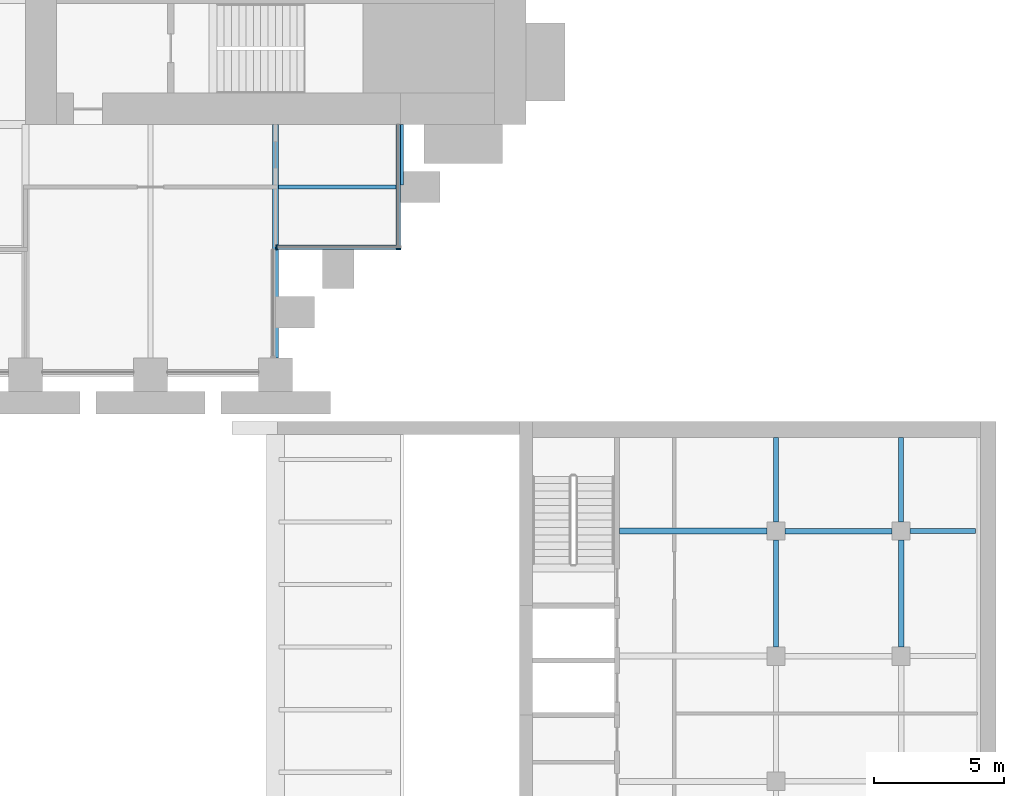
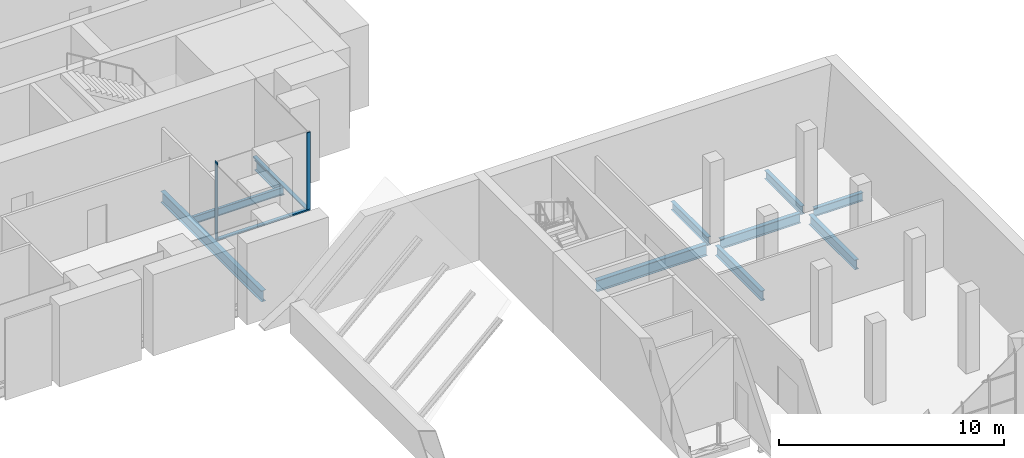
# One storey, part 13 of 30: 10 beams, 4 members, 2 elements without a shape of their own.
"""IFC4 building model written with IfcOpenShell, lengths in metres."""

from ifc_helpers import new_model, si_unit, direction, frame, origin, origin_2d, place, context, subcontext, project, spatial, rectangle, i_section, extrude, material, material_profile, profile_set, type_object, element, aggregate, save


model = new_model("IFC4")

# Units and contexts
model_context = context("Model", 3, precision=1e-05, world=origin(), true_north=direction((0.0, 1.0)))
body_context = subcontext(model_context, "Body", "Model", "MODEL_VIEW")
ifc_project = project(units=[si_unit("LENGTHUNIT", "METRE"), si_unit("AREAUNIT", "SQUARE_METRE"), si_unit("VOLUMEUNIT", "CUBIC_METRE"), si_unit("PLANEANGLEUNIT", "RADIAN"), si_unit("MASSUNIT", "GRAM", prefix="KILO")], contexts=[model_context])

# Site, building, storey
site_placement = place(None, origin())
site = spatial("IfcSite", under=ifc_project, at=site_placement, CompositionType="ELEMENT")
building_placement = place(site_placement, origin())
building = spatial("IfcBuilding", under=site, at=building_placement, Name="Baori Bourse Tower", CompositionType="ELEMENT")
storey_placement = place(building_placement, frame((0.0, 0.0, 17.0)))
storey = spatial("IfcBuildingStorey", under=building, at=storey_placement, Name="L02", CompositionType="ELEMENT", Elevation=17.0)

# Curtain wall, member
ifc_material_1 = material(Name="Pale anodised aluminium", Category="aluminium")
curtain_wall_type = type_object("IfcCurtainWallType", Name="CW2 Curtain wall", PredefinedType="NOTDEFINED", material=ifc_material_1)
curtain_wall_1_placement = place(storey_placement, origin())
curtain_wall_1 = element("IfcCurtainWall", 1, at=curtain_wall_1_placement, inside=storey, type_object=curtain_wall_type, Name="Curtain wall CW2 L02 13", PredefinedType="NOTDEFINED")
ifc_material_2 = material(Name="Pale anodised aluminium", Category="aluminium")
ifc_material_profile_1 = material_profile(ifc_material_2, rectangle(XDim=0.179931640625, YDim=0.054931640625, at=origin_2d()), Name="Mullion 55x180")
ifc_profile_set_1 = profile_set([ifc_material_profile_1], Name="Pale anodised aluminium")
member_type_1 = type_object("IfcMemberType", Name="CW2 Curtain wall mullion", PredefinedType="MULLION", material=ifc_profile_set_1)
member_1_placement = place(storey_placement, frame((48.027587890625, 4.889892578125, 0.070068359375), z_axis=(0.0, 0.0, 1.0), x_axis=(0.0, 1.0, 0.0)))
member_1 = element("IfcMember", 2, at=member_1_placement, type_object=member_type_1, Name="Curtain wall CW2 mullion", PredefinedType="MULLION", context=body_context, shape_type="SweptSolid", body=[
    extrude(rectangle(XDim=0.179931640625, YDim=0.054931640625, at=origin_2d()), origin(), (0.0, 0.0, 1.0), 4.169921875),
])

curtain_wall_2_placement = place(storey_placement, origin())
curtain_wall_2 = element("IfcCurtainWall", 3, at=curtain_wall_2_placement, inside=storey, type_object=curtain_wall_type, Name="Curtain wall CW2 L02 14", PredefinedType="NOTDEFINED")
member_2_placement = place(storey_placement, frame((52.7099609375, 4.827392578125, 0.070068359375), z_axis=(0.0, 0.0, 1.0), x_axis=(-1.0, 0.0, 0.0)))
member_2 = element("IfcMember", 4, at=member_2_placement, type_object=member_type_1, Name="Curtain wall CW2 mullion", PredefinedType="MULLION", context=body_context, shape_type="SweptSolid", body=[
    extrude(rectangle(XDim=0.179931640625, YDim=0.054931640625, at=origin_2d()), origin(), (0.0, 0.0, 1.0), 4.169921875),
])

# Member
ifc_material_3 = material(Name="Pale anodised aluminium", Category="aluminium")
ifc_material_profile_2 = material_profile(ifc_material_3, rectangle(XDim=0.179931640625, YDim=0.070068359375, at=origin_2d()), Name="Transom 70x180")
ifc_profile_set_2 = profile_set([ifc_material_profile_2], Name="Pale anodised aluminium")
member_type_2 = type_object("IfcMemberType", Name="CW2 Curtain wall transom", PredefinedType="USERDEFINED", material=ifc_profile_set_2)
member_3_placement = place(storey_placement, frame((48.0, 4.889892578125, 0.034912109375), z_axis=(1.0, 0.0, 0.0), x_axis=(0.0, 1.0, 0.0)))
member_3 = element("IfcMember", 5, at=member_3_placement, type_object=member_type_2, Name="Curtain wall CW2 sill rail", ObjectType="TRANSOM", PredefinedType="USERDEFINED", context=body_context, shape_type="SweptSolid", body=[
    extrude(rectangle(XDim=0.179931640625, YDim=0.070068359375, at=origin_2d()), origin(), (0.0, 0.0, 1.0), 4.800048828125),
])

aggregate(curtain_wall_1, [member_3, member_1])

member_4_placement = place(storey_placement, frame((52.7099609375, 4.800048828125, 0.034912109375), z_axis=(0.0, 1.0, 0.0), x_axis=(-1.0, 0.0, 0.0)))
member_4 = element("IfcMember", 6, at=member_4_placement, type_object=member_type_2, Name="Curtain wall CW2 sill rail", ObjectType="TRANSOM", PredefinedType="USERDEFINED", context=body_context, shape_type="SweptSolid", body=[
    extrude(rectangle(XDim=0.179931640625, YDim=0.070068359375, at=origin_2d()), origin(), (0.0, 0.0, 1.0), 4.800048828125),
])

aggregate(curtain_wall_2, [member_4, member_2])

# Beams
ifc_material_4 = material(Name="Steel A992 Gr 50", Category="steel")
ifc_material_profile_3 = material_profile(ifc_material_4, i_section(OverallWidth=0.21240234375, OverallDepth=0.54345703125, WebThickness=0.01318359375, FlangeThickness=0.021240234375, at=origin_2d()), Name="W21x83")
ifc_profile_set_3 = profile_set([ifc_material_profile_3], Name="Steel A992 Gr 50")
beam_type_1 = type_object("IfcBeamType", Name="Core bracket W21x83", PredefinedType="BEAM", material=ifc_profile_set_3)
beam_1_placement = place(storey_placement, frame((52.800048828125, 7.270263671875, -0.431884765625), z_axis=(0.0, 1.0, 0.0), x_axis=(-1.0, 0.0, 0.0)))
element("IfcBeam", 7, at=beam_1_placement, inside=storey, type_object=beam_type_1, Name="Core bracket L02", PredefinedType="BEAM", context=body_context, shape_type="SweptSolid", body=[
    extrude(i_section(OverallWidth=0.21240234375, OverallDepth=0.54345703125, WebThickness=0.01318359375, FlangeThickness=0.021240234375, at=origin_2d()), origin(), (0.0, 0.0, 1.0), 2.329833984375),
])
ifc_material_5 = material(Name="Steel A992 Gr 50", Category="steel")
ifc_material_profile_4 = material_profile(ifc_material_5, i_section(OverallWidth=0.227783203125, OverallDepth=0.60205078125, WebThickness=0.010498046875, FlangeThickness=0.014892578125, at=origin_2d()), Name="W24x68")
ifc_profile_set_4 = profile_set([ifc_material_profile_4], Name="Steel A992 Gr 50")
beam_type_2 = type_object("IfcBeamType", Name="Floor beam W24x68", PredefinedType="BEAM", material=ifc_profile_set_4)
beam_2_placement = place(storey_placement, frame((48.0, 0.64990234375, -0.4609375), z_axis=(0.0, 1.0, 0.0), x_axis=(-1.0, 0.0, 0.0)))
element("IfcBeam", 8, at=beam_2_placement, inside=storey, type_object=beam_type_2, Name="Floor beam L02", PredefinedType="BEAM", context=body_context, shape_type="SweptSolid", body=[
    extrude(i_section(OverallWidth=0.227783203125, OverallDepth=0.60205078125, WebThickness=0.010498046875, FlangeThickness=0.014892578125, at=origin_2d()), origin(), (0.0, 0.0, 1.0), 8.9501953125),
])
ifc_material_6 = material(Name="Steel A992 Gr 50", Category="steel")
ifc_material_profile_5 = material_profile(ifc_material_6, i_section(OverallWidth=0.140380859375, OverallDepth=0.40380859375, WebThickness=0.007080078125, FlangeThickness=0.01123046875, at=origin_2d()), Name="W16x31")
ifc_profile_set_5 = profile_set([ifc_material_profile_5], Name="Steel A992 Gr 50")
beam_type_3 = type_object("IfcBeamType", Name="Trimmer beam W16x31", PredefinedType="BEAM", material=ifc_profile_set_5)
beam_3_placement = place(storey_placement, frame((48.114013671875, 7.199951171875, -0.36181640625), z_axis=(1.0, 0.0, 0.0), x_axis=(0.0, 1.0, 0.0)))
element("IfcBeam", 9, at=beam_3_placement, inside=storey, type_object=beam_type_3, Name="Trimmer beam L02", PredefinedType="BEAM", context=body_context, shape_type="SweptSolid", body=[
    extrude(i_section(OverallWidth=0.140380859375, OverallDepth=0.40380859375, WebThickness=0.007080078125, FlangeThickness=0.01123046875, at=origin_2d()), origin(), (0.0, 0.0, 1.0), 4.68603515625),
])
ifc_material_7 = material(Name="Steel A992 Gr 50", Category="steel")
ifc_material_profile_6 = material_profile(ifc_material_7, i_section(OverallWidth=0.1904296875, OverallDepth=0.457275390625, WebThickness=0.009033203125, FlangeThickness=0.014404296875, at=origin_2d()), Name="W18x50")
ifc_profile_set_6 = profile_set([ifc_material_profile_6], Name="Steel A992 Gr 50")
beam_type_4 = type_object("IfcBeamType", Name="Wing beam W18x50", PredefinedType="BEAM", material=ifc_profile_set_6)
beam_4_placement = place(storey_placement, frame((74.85302734375, -6.0, -0.388671875), z_axis=(-1.0, 0.0, 0.0), x_axis=(0.0, -1.0, 0.0)))
element("IfcBeam", 10, at=beam_4_placement, inside=storey, type_object=beam_type_4, Name="wing/L02/Ebeam/013", PredefinedType="BEAM", context=body_context, shape_type="SweptSolid", body=[
    extrude(i_section(OverallWidth=0.1904296875, OverallDepth=0.457275390625, WebThickness=0.009033203125, FlangeThickness=0.014404296875, at=origin_2d()), origin(), (0.0, 0.0, 1.0), 2.5029296875),
])
for number, where, z_axis, x_axis, name in (
    (11, (72.0, -5.64990234375, -0.388671875), (0.0, 1.0, 0.0), (-1.0, 0.0, 0.0), "wing/L02/Ebeamy/005"),
    (12, (67.199951171875, -5.64990234375, -0.388671875), (0.0, 1.0, 0.0), (-1.0, 0.0, 0.0), "wing/L02/Ebeamy/010"),
):
    element("IfcBeam", number, at=place(storey_placement, frame(where, z_axis=z_axis, x_axis=x_axis)), inside=storey, type_object=beam_type_4, Name=name, PredefinedType="BEAM", context=body_context, shape_type="SweptSolid", body=[
        extrude(i_section(OverallWidth=0.1904296875, OverallDepth=0.457275390625, WebThickness=0.009033203125, FlangeThickness=0.014404296875, at=origin_2d()), origin(), (0.0, 0.0, 1.0), 3.25),
    ])
ifc_material_8 = material(Name="Steel A992 Gr 50", Category="steel")
ifc_material_profile_7 = material_profile(ifc_material_8, i_section(OverallWidth=0.209228515625, OverallDepth=0.533447265625, WebThickness=0.01025390625, FlangeThickness=0.015625, at=origin_2d()), Name="W21x62")
ifc_profile_set_7 = profile_set([ifc_material_profile_7], Name="Steel A992 Gr 50")
beam_type_5 = type_object("IfcBeamType", Name="Wing beam W21x62", PredefinedType="BEAM", material=ifc_profile_set_7)
for number, where, z_axis, x_axis, name in (
    (13, (71.64990234375, -6.0, -0.4267578125), (-1.0, 0.0, 0.0), (0.0, -1.0, 0.0), "wing/L02/Ebeam/014"),
    (14, (72.0, -10.449951171875, -0.4267578125), (0.0, 1.0, 0.0), (-1.0, 0.0, 0.0), "wing/L02/Ebeamy/004"),
    (15, (67.199951171875, -10.449951171875, -0.4267578125), (0.0, 1.0, 0.0), (-1.0, 0.0, 0.0), "wing/L02/Ebeamy/009"),
):
    element("IfcBeam", number, at=place(storey_placement, frame(where, z_axis=z_axis, x_axis=x_axis)), inside=storey, type_object=beam_type_5, Name=name, PredefinedType="BEAM", context=body_context, shape_type="SweptSolid", body=[
        extrude(i_section(OverallWidth=0.209228515625, OverallDepth=0.533447265625, WebThickness=0.01025390625, FlangeThickness=0.015625, at=origin_2d()), origin(), (0.0, 0.0, 1.0), 4.099853515625),
    ])
ifc_material_9 = material(Name="Steel A992 Gr 50", Category="steel")
ifc_material_profile_8 = material_profile(ifc_material_9, i_section(OverallWidth=0.22900390625, OverallDepth=0.612060546875, WebThickness=0.011962890625, FlangeThickness=0.01953125, at=origin_2d()), Name="W24x84")
ifc_profile_set_8 = profile_set([ifc_material_profile_8], Name="Steel A992 Gr 50")
beam_type_6 = type_object("IfcBeamType", Name="Wing beam W24x84", PredefinedType="BEAM", material=ifc_profile_set_8)
beam_5_placement = place(storey_placement, frame((66.85009765625, -6.0, -0.466064453125), z_axis=(-1.0, 0.0, 0.0), x_axis=(0.0, -1.0, 0.0)))
element("IfcBeam", 16, at=beam_5_placement, inside=storey, type_object=beam_type_6, Name="wing/L02/Ebeam/015", PredefinedType="BEAM", context=body_context, shape_type="SweptSolid", body=[
    extrude(i_section(OverallWidth=0.22900390625, OverallDepth=0.612060546875, WebThickness=0.011962890625, FlangeThickness=0.01953125, at=origin_2d()), origin(), (0.0, 0.0, 1.0), 5.650146484375),
])

save(model, "model.ifc")
